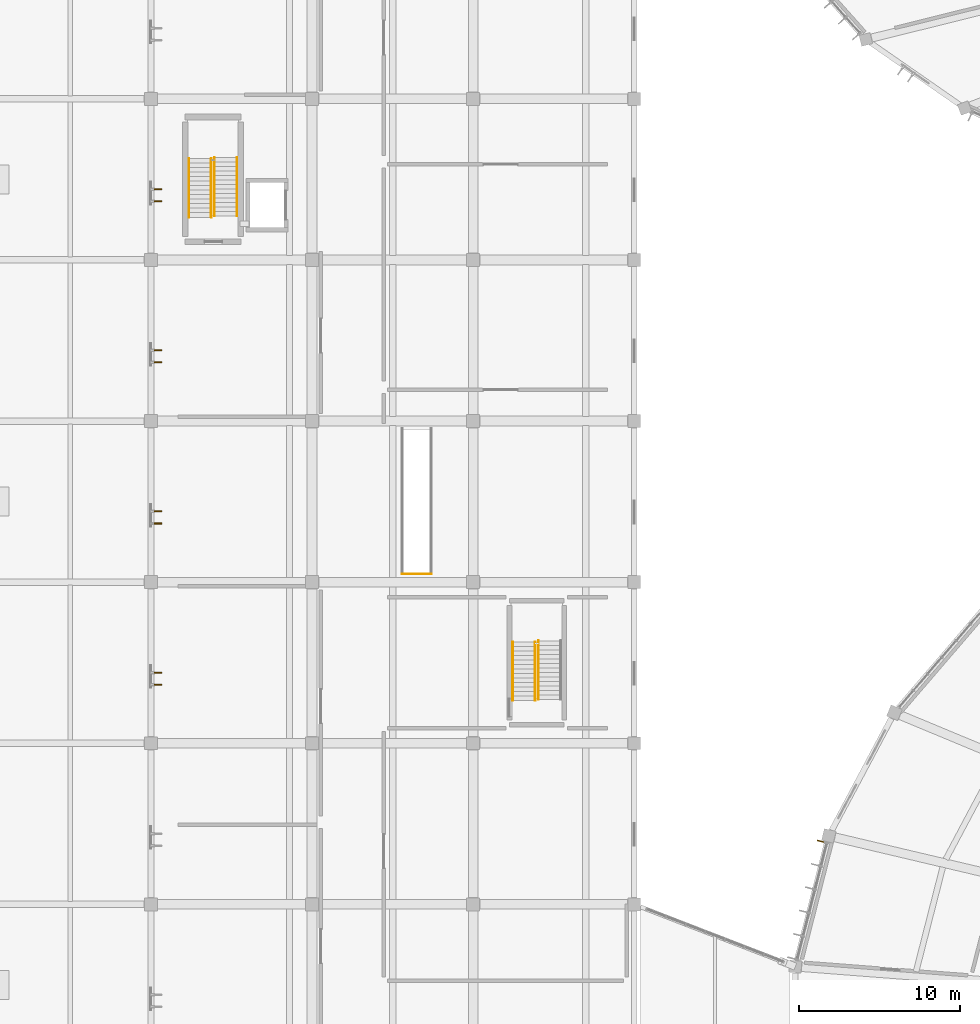
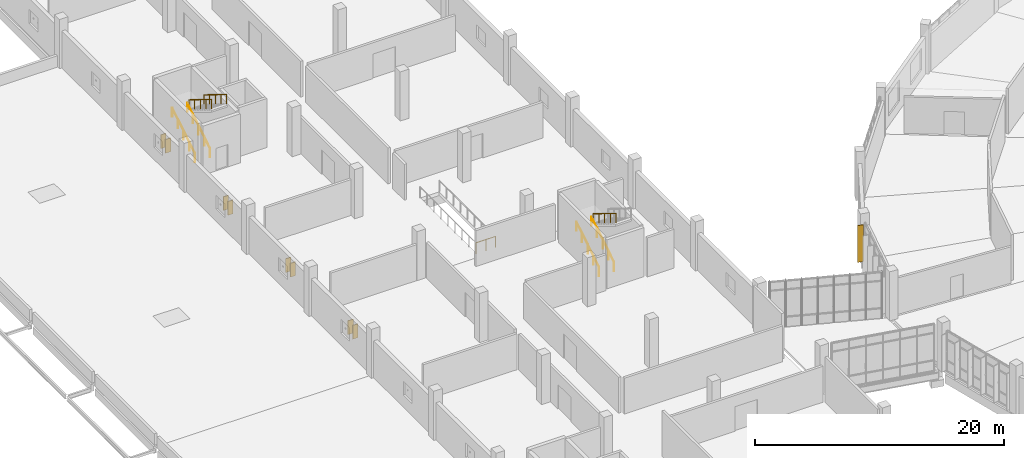
# One storey, part 154 of 179: 9 shading devices, 8 railings.
"""IFC4 building model written with IfcOpenShell, lengths in metres."""

from ifc_helpers import new_model, si_unit, direction, frame, origin, origin_2d, place, context, subcontext, project, spatial, rectangle, circle, extrude, material, layer, layer_set, type_object, element, save


model = new_model("IFC4")

# Units and contexts
model_context = context("Model", 3, precision=1e-05, world=origin(), true_north=direction((0.0, 1.0)))
body_context = subcontext(model_context, "Body", "Model", "MODEL_VIEW")
ifc_project = project(units=[si_unit("LENGTHUNIT", "METRE"), si_unit("AREAUNIT", "SQUARE_METRE"), si_unit("VOLUMEUNIT", "CUBIC_METRE"), si_unit("PLANEANGLEUNIT", "RADIAN"), si_unit("MASSUNIT", "GRAM", prefix="KILO")], contexts=[model_context])

# Site, building, storey
site_placement = place(None, origin())
site = spatial("IfcSite", under=ifc_project, at=site_placement, CompositionType="ELEMENT")
building_placement = place(site_placement, origin())
building = spatial("IfcBuilding", under=site, at=building_placement, Name="Corvandel Quay Wholesale Market", CompositionType="ELEMENT")
storey_placement = place(building_placement, frame((0.0, 0.0, 6.0)))
storey = spatial("IfcBuildingStorey", under=building, at=storey_placement, Name="L01", CompositionType="ELEMENT", Elevation=6.0)

# Railings
ifc_material_1 = material(Name="Painted galvanised tubular steel", Category="steel")
ifc_layer_1 = layer(ifc_material_1, 0.054931640625)
ifc_layer_set_1 = layer_set([ifc_layer_1], Name="Painted galvanised tubular steel")
railing_type_1 = type_object("IfcRailingType", Name="Stairwell Inner Guard Railing GR02 1100mm", PredefinedType="GUARDRAIL", material=ifc_layer_set_1)
railing_1_placement = place(storey_placement, frame((35.60009765625, 70.5, 0.0)))
element("IfcRailing", 1, at=railing_1_placement, inside=storey, type_object=railing_type_1, Name="Feature Stair Well Guard 0245", PredefinedType="GUARDRAIL", context=body_context, shape_type="SweptSolid", body=[
    extrude(circle(Radius=0.02392578125, at=origin_2d()), frame((0.0, 0.0, 1.076171875), z_axis=(1.0, 0.0, 0.0), x_axis=(0.0, 1.0, 0.0)), (0.0, 0.0, 1.0), 1.7998046875),
    extrude(circle(Radius=0.02099609375, at=origin_2d()), origin(), (0.0, 0.0, 1.0), 1.052001953125),
    extrude(circle(Radius=0.02099609375, at=origin_2d()), frame((0.89990234375, 0.0, 0.0)), (0.0, 0.0, 1.0), 1.052001953125),
    extrude(circle(Radius=0.02099609375, at=origin_2d()), frame((1.7998046875, 0.0, 0.0)), (0.0, 0.0, 1.0), 1.052001953125),
])
ifc_material_2 = material(Name="Brushed austenitic stainless steel Grade 316", Category="steel")
ifc_layer_2 = layer(ifc_material_2, 0.048095703125)
ifc_layer_set_2 = layer_set([ifc_layer_2], Name="Brushed austenitic stainless steel Grade 316")
railing_type_2 = type_object("IfcRailingType", Name="Tubular Stainless Stair Handrail HR01 915mm", PredefinedType="HANDRAIL", material=ifc_layer_set_2)
for number, where, name in (
    (2, (22.360107421875, 92.64990234375, 0.17138671875), "Stair Handrail 0113"),
    (3, (23.75, 92.64990234375, 0.17138671875), "Stair Handrail 0114"),
):
    element("IfcRailing", number, at=place(storey_placement, frame(where)), inside=storey, type_object=railing_type_2, Name=name, PredefinedType="HANDRAIL", context=body_context, shape_type="SweptSolid", body=[
        extrude(circle(Radius=0.02392578125, at=origin_2d()), frame((0.0, 0.0, 0.89111328125), z_axis=(0.0, 0.852865859571, 0.52213008492), x_axis=(-1.0, 0.0, 0.0)), (0.0, 0.0, 1.0), 4.26806640625),
        extrude(circle(Radius=0.02099609375, at=origin_2d()), origin(), (0.0, 0.0, 1.0), 0.866943359375),
        extrude(circle(Radius=0.02099609375, at=origin_2d()), frame((0.0, 0.91015625, 0.55712890625)), (0.0, 0.0, 1.0), 0.866943359375),
        extrude(circle(Radius=0.02099609375, at=origin_2d()), frame((0.0, 1.820068359375, 1.1142578125)), (0.0, 0.0, 1.0), 0.866943359375),
        extrude(circle(Radius=0.02099609375, at=origin_2d()), frame((0.0, 2.72998046875, 1.67138671875)), (0.0, 0.0, 1.0), 0.866943359375),
        extrude(circle(Radius=0.02099609375, at=origin_2d()), frame((0.0, 3.64013671875, 2.228515625)), (0.0, 0.0, 1.0), 0.866943359375),
    ])
for number, where, name in (
    (4, (23.949951171875, 96.360107421875, 2.5712890625), "Stair Handrail 0115"),
    (5, (25.340087890625, 96.360107421875, 2.5712890625), "Stair Handrail 0116"),
):
    element("IfcRailing", number, at=place(storey_placement, frame(where)), inside=storey, type_object=railing_type_2, Name=name, PredefinedType="HANDRAIL", context=body_context, shape_type="SweptSolid", body=[
        extrude(circle(Radius=0.02392578125, at=origin_2d()), frame((0.0, 0.0, 0.89111328125), z_axis=(0.0, -0.852840387347, 0.522171689878), x_axis=(1.0, 0.0, 0.0)), (0.0, 0.0, 1.0), 4.268310546875),
        extrude(circle(Radius=0.02099609375, at=origin_2d()), origin(), (0.0, 0.0, 1.0), 0.866943359375),
        extrude(circle(Radius=0.02099609375, at=origin_2d()), frame((0.0, -0.91015625, 0.55712890625)), (0.0, 0.0, 1.0), 0.866943359375),
        extrude(circle(Radius=0.02099609375, at=origin_2d()), frame((0.0, -1.820068359375, 1.1142578125)), (0.0, 0.0, 1.0), 0.866943359375),
        extrude(circle(Radius=0.02099609375, at=origin_2d()), frame((0.0, -2.72998046875, 1.671630859375)), (0.0, 0.0, 1.0), 0.866943359375),
        extrude(circle(Radius=0.02099609375, at=origin_2d()), frame((0.0, -3.64013671875, 2.228759765625)), (0.0, 0.0, 1.0), 0.866943359375),
    ])
for number, where, name in (
    (6, (42.4599609375, 62.64990234375, 0.17138671875), "Stair Handrail 0124"),
    (7, (43.85009765625, 62.64990234375, 0.17138671875), "Stair Handrail 0125"),
):
    element("IfcRailing", number, at=place(storey_placement, frame(where)), inside=storey, type_object=railing_type_2, Name=name, PredefinedType="HANDRAIL", context=body_context, shape_type="SweptSolid", body=[
        extrude(circle(Radius=0.02392578125, at=origin_2d()), frame((0.0, 0.0, 0.89111328125), z_axis=(0.0, 0.852865859571, 0.52213008492), x_axis=(-1.0, 0.0, 0.0)), (0.0, 0.0, 1.0), 4.26806640625),
        extrude(circle(Radius=0.02099609375, at=origin_2d()), origin(), (0.0, 0.0, 1.0), 0.866943359375),
        extrude(circle(Radius=0.02099609375, at=origin_2d()), frame((0.0, 0.91015625, 0.55712890625)), (0.0, 0.0, 1.0), 0.866943359375),
        extrude(circle(Radius=0.02099609375, at=origin_2d()), frame((0.0, 1.820068359375, 1.1142578125)), (0.0, 0.0, 1.0), 0.866943359375),
        extrude(circle(Radius=0.02099609375, at=origin_2d()), frame((0.0, 2.72998046875, 1.67138671875)), (0.0, 0.0, 1.0), 0.866943359375),
        extrude(circle(Radius=0.02099609375, at=origin_2d()), frame((0.0, 3.64013671875, 2.228515625)), (0.0, 0.0, 1.0), 0.866943359375),
    ])
railing_2_placement = place(storey_placement, frame((44.050048828125, 66.360107421875, 2.5712890625)))
element("IfcRailing", 8, at=railing_2_placement, inside=storey, type_object=railing_type_2, Name="Stair Handrail 0126", PredefinedType="HANDRAIL", context=body_context, shape_type="SweptSolid", body=[
    extrude(circle(Radius=0.02392578125, at=origin_2d()), frame((0.0, 0.0, 0.89111328125), z_axis=(0.0, -0.852840387347, 0.522171689878), x_axis=(1.0, 0.0, 0.0)), (0.0, 0.0, 1.0), 4.268310546875),
    extrude(circle(Radius=0.02099609375, at=origin_2d()), origin(), (0.0, 0.0, 1.0), 0.866943359375),
    extrude(circle(Radius=0.02099609375, at=origin_2d()), frame((0.0, -0.91015625, 0.55712890625)), (0.0, 0.0, 1.0), 0.866943359375),
    extrude(circle(Radius=0.02099609375, at=origin_2d()), frame((0.0, -1.820068359375, 1.1142578125)), (0.0, 0.0, 1.0), 0.866943359375),
    extrude(circle(Radius=0.02099609375, at=origin_2d()), frame((0.0, -2.72998046875, 1.671630859375)), (0.0, 0.0, 1.0), 0.866943359375),
    extrude(circle(Radius=0.02099609375, at=origin_2d()), frame((0.0, -3.64013671875, 2.228759765625)), (0.0, 0.0, 1.0), 0.866943359375),
])

# Shading devices
ifc_material_3 = material(Name="Bronze anodised extruded aluminium 6063-T6", Category="aluminium")
shading_device_type = type_object("IfcShadingDeviceType", Name="Vertical Anodised Bronze Solar Fin FN01 480mm", PredefinedType="JALOUSIE", material=ifc_material_3)
shading_device_placement = place(storey_placement, frame((61.59521484375, 53.9091796875, 0.175048828125), z_axis=(0.0, 0.0, 1.0), x_axis=(-0.968843057437, 0.247675453076, 0.0)))
element("IfcShadingDevice", 9, at=shading_device_placement, inside=storey, type_object=shading_device_type, Name="Solar Fin 0032", PredefinedType="JALOUSIE", context=body_context, shape_type="SweptSolid", body=[
    extrude(rectangle(XDim=0.47998046875, YDim=0.06494140625, at=origin_2d()), origin(), (0.0, 0.0, 1.0), 3.60009765625),
])
for number, where, z_axis, x_axis, name in (
    (10, (20.43994140625, 63.639892578125, 1.199951171875), (0.0, 0.0, 1.0), (1.0, 0.0, 0.0), "Solar Fin 0546"),
    (11, (20.43994140625, 64.389892578125, 1.199951171875), (0.0, 0.0, 1.0), (1.0, 0.0, 0.0), "Solar Fin 0547"),
    (12, (20.43994140625, 73.639892578125, 1.199951171875), (0.0, 0.0, 1.0), (1.0, 0.0, 0.0), "Solar Fin 0551"),
    (13, (20.43994140625, 74.389892578125, 1.199951171875), (0.0, 0.0, 1.0), (1.0, 0.0, 0.0), "Solar Fin 0552"),
    (14, (20.43994140625, 83.639892578125, 1.199951171875), (0.0, 0.0, 1.0), (1.0, 0.0, 0.0), "Solar Fin 0556"),
    (15, (20.43994140625, 84.389892578125, 1.199951171875), (0.0, 0.0, 1.0), (1.0, 0.0, 0.0), "Solar Fin 0557"),
    (16, (20.43994140625, 93.639892578125, 1.199951171875), (0.0, 0.0, 1.0), (1.0, 0.0, 0.0), "Solar Fin 0561"),
    (17, (20.43994140625, 94.389892578125, 1.199951171875), (0.0, 0.0, 1.0), (1.0, 0.0, 0.0), "Solar Fin 0562"),
):
    element("IfcShadingDevice", number, at=place(storey_placement, frame(where, z_axis=z_axis, x_axis=x_axis)), inside=storey, type_object=shading_device_type, Name=name, PredefinedType="JALOUSIE", context=body_context, shape_type="SweptSolid", body=[
        extrude(rectangle(XDim=0.47998046875, YDim=0.06494140625, at=origin_2d()), origin(), (0.0, 0.0, 1.0), 1.35009765625),
    ])

save(model, "model.ifc")
